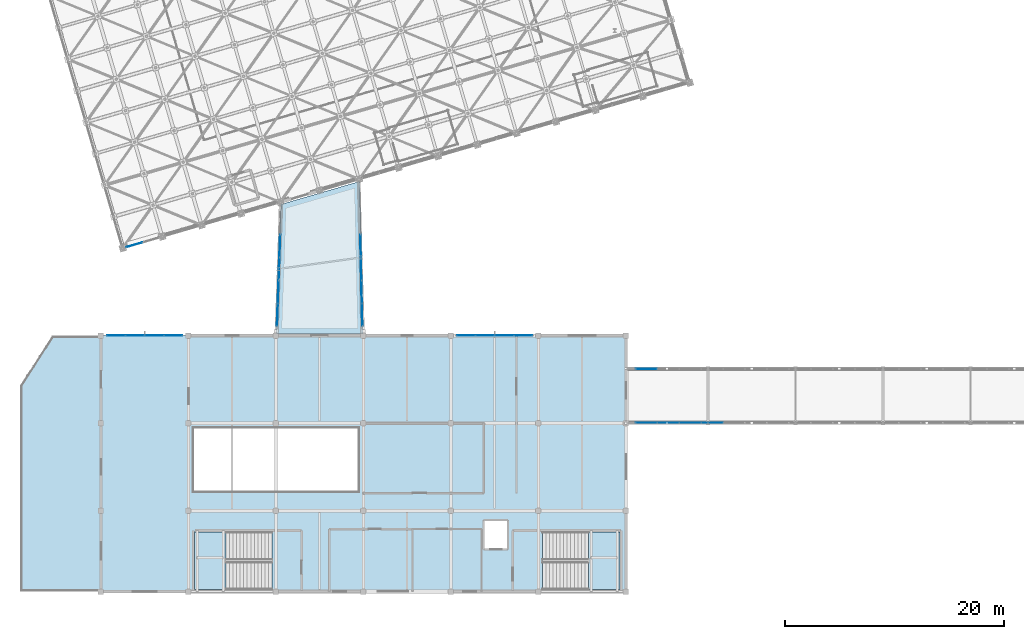
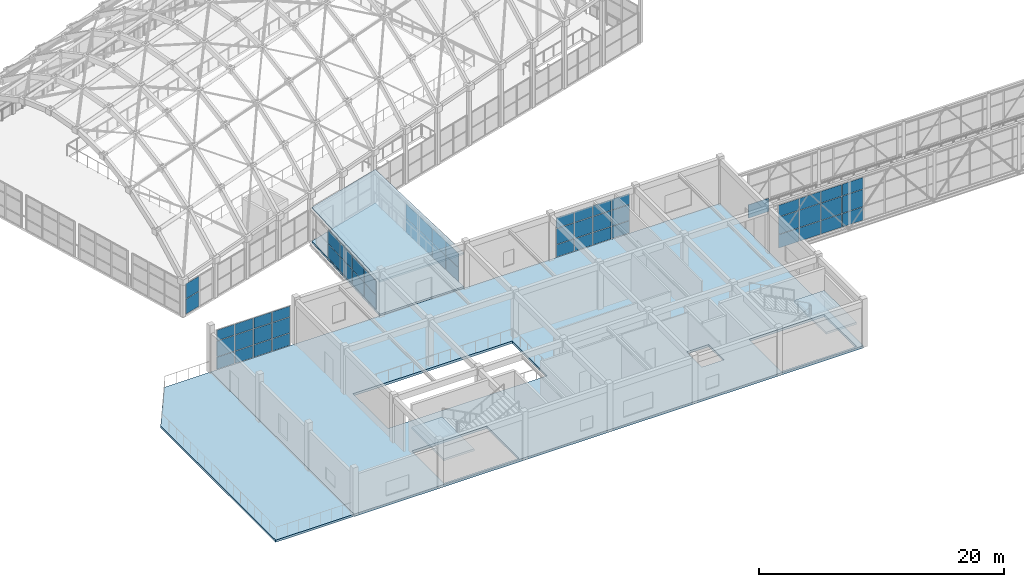
# One storey, part 198 of 248: 55 plates, 6 slabs, 9 elements without a shape of their own.
"""IFC4 building model written with IfcOpenShell, lengths in metres."""

from ifc_helpers import new_model, si_unit, direction, frame, origin, origin_2d, place, context, subcontext, project, spatial, polyline, rectangle, outline, extrude, material, layer, layer_set, type_object, element, aggregate, save


model = new_model("IFC4")

# Units and contexts
model_context = context("Model", 3, precision=1e-05, world=origin(), true_north=direction((0.0, 1.0)))
body_context = subcontext(model_context, "Body", "Model", "MODEL_VIEW")
ifc_project = project(units=[si_unit("LENGTHUNIT", "METRE"), si_unit("AREAUNIT", "SQUARE_METRE"), si_unit("VOLUMEUNIT", "CUBIC_METRE"), si_unit("PLANEANGLEUNIT", "RADIAN"), si_unit("MASSUNIT", "GRAM", prefix="KILO")], contexts=[model_context])

# Site, building, storey
site_placement = place(None, origin())
site = spatial("IfcSite", under=ifc_project, at=site_placement, CompositionType="ELEMENT")
building_placement = place(site_placement, origin())
building = spatial("IfcBuilding", under=site, at=building_placement, Name="Canggui Botanical Conservatory", CompositionType="ELEMENT")
storey_placement = place(building_placement, frame((0.0, 0.0, 5.39990234375)))
storey = spatial("IfcBuildingStorey", under=building, at=storey_placement, Name="L02", CompositionType="ELEMENT", Elevation=5.39990234375)

# Curtain wall, plates
ifc_material_1 = material(Name="Thermally Broken Aluminium", Category="aluminium")
ifc_layer_1 = layer(ifc_material_1, 0.135009765625, Name="Thermally Broken Aluminium", Category="aluminium")
ifc_layer_set_1 = layer_set([ifc_layer_1], Name="Thermally Broken Aluminium")
curtain_wall_type_1 = type_object("IfcCurtainWallType", Name="CW-STICK-A", PredefinedType="USERDEFINED", material=ifc_layer_set_1)
curtain_wall_1_placement = place(storey_placement, origin())
curtain_wall_1 = element("IfcCurtainWall", 1, at=curtain_wall_1_placement, inside=storey, type_object=curtain_wall_type_1, Name="Facade Curtain Wall CW-VIS-L02-10", ObjectType="STICK GLAZED WALL", PredefinedType="USERDEFINED")
ifc_material_2 = material(Name="Low-E Insulated Glass", Category="glass")
ifc_layer_2 = layer(ifc_material_2, 0.0380859375, Name="Low-E Insulated Glass", Category="glass")
ifc_layer_set_2 = layer_set([ifc_layer_2], Name="Low-E Insulated Glass")
plate_type_1 = type_object("IfcPlateType", Name="CWP-04", PredefinedType="CURTAIN_PANEL", material=ifc_layer_set_2)
plate_1_placement = place(storey_placement, frame((19.389892578125, 34.0, 0.05029296875), z_axis=(0.0, 0.0, 1.0), x_axis=(1.0, 0.0, 0.0)))
plate_1 = element("IfcPlate", 2, at=plate_1_placement, type_object=plate_type_1, Name="CW-04 panel 1.1", PredefinedType="CURTAIN_PANEL", context=body_context, shape_type="SweptSolid", body=[
    extrude(rectangle(XDim=1.659912109375, YDim=0.0380859375, at=origin_2d()), origin(), (0.0, 0.0, 1.0), 1.208251953125),
])
plate_2_placement = place(storey_placement, frame((19.389892578125, 34.0, 1.30810546875), z_axis=(0.0, 0.0, 1.0), x_axis=(1.0, 0.0, 0.0)))
plate_2 = element("IfcPlate", 3, at=plate_2_placement, type_object=plate_type_1, Name="CW-04 panel 1.2", PredefinedType="CURTAIN_PANEL", context=body_context, shape_type="SweptSolid", body=[
    extrude(rectangle(XDim=1.659912109375, YDim=0.0380859375, at=origin_2d()), origin(), (0.0, 0.0, 1.0), 1.553955078125),
])
plate_3_placement = place(storey_placement, frame((19.389892578125, 34.0, 2.912353515625), z_axis=(0.0, 0.0, 1.0), x_axis=(1.0, 0.0, 0.0)))
plate_3 = element("IfcPlate", 4, at=plate_3_placement, type_object=plate_type_1, Name="CW-04 panel 1.3", PredefinedType="CURTAIN_PANEL", context=body_context, shape_type="SweptSolid", body=[
    extrude(rectangle(XDim=1.659912109375, YDim=0.0380859375, at=origin_2d()), origin(), (0.0, 0.0, 1.0), 1.0478515625),
])
plate_4_placement = place(storey_placement, frame((21.125, 34.0, 0.05029296875), z_axis=(0.0, 0.0, 1.0), x_axis=(1.0, 0.0, 0.0)))
plate_4 = element("IfcPlate", 5, at=plate_4_placement, type_object=plate_type_1, Name="CW-04 panel 2.1", PredefinedType="CURTAIN_PANEL", context=body_context, shape_type="SweptSolid", body=[
    extrude(rectangle(XDim=1.68994140625, YDim=0.0380859375, at=origin_2d()), origin(), (0.0, 0.0, 1.0), 1.208251953125),
])
plate_5_placement = place(storey_placement, frame((21.125, 34.0, 1.30810546875), z_axis=(0.0, 0.0, 1.0), x_axis=(1.0, 0.0, 0.0)))
plate_5 = element("IfcPlate", 6, at=plate_5_placement, type_object=plate_type_1, Name="CW-04 panel 2.2", PredefinedType="CURTAIN_PANEL", context=body_context, shape_type="SweptSolid", body=[
    extrude(rectangle(XDim=1.68994140625, YDim=0.0380859375, at=origin_2d()), origin(), (0.0, 0.0, 1.0), 1.553955078125),
])
plate_6_placement = place(storey_placement, frame((21.125, 34.0, 2.912353515625), z_axis=(0.0, 0.0, 1.0), x_axis=(1.0, 0.0, 0.0)))
plate_6 = element("IfcPlate", 7, at=plate_6_placement, type_object=plate_type_1, Name="CW-04 panel 2.3", PredefinedType="CURTAIN_PANEL", context=body_context, shape_type="SweptSolid", body=[
    extrude(rectangle(XDim=1.68994140625, YDim=0.0380859375, at=origin_2d()), origin(), (0.0, 0.0, 1.0), 1.0478515625),
])
plate_7_placement = place(storey_placement, frame((22.875, 34.0, 0.05029296875), z_axis=(0.0, 0.0, 1.0), x_axis=(1.0, 0.0, 0.0)))
plate_7 = element("IfcPlate", 8, at=plate_7_placement, type_object=plate_type_1, Name="CW-04 panel 3.1", PredefinedType="CURTAIN_PANEL", context=body_context, shape_type="SweptSolid", body=[
    extrude(rectangle(XDim=1.68994140625, YDim=0.0380859375, at=origin_2d()), origin(), (0.0, 0.0, 1.0), 1.208251953125),
])
plate_8_placement = place(storey_placement, frame((22.875, 34.0, 1.30810546875), z_axis=(0.0, 0.0, 1.0), x_axis=(1.0, 0.0, 0.0)))
plate_8 = element("IfcPlate", 9, at=plate_8_placement, type_object=plate_type_1, Name="CW-04 panel 3.2", PredefinedType="CURTAIN_PANEL", context=body_context, shape_type="SweptSolid", body=[
    extrude(rectangle(XDim=1.68994140625, YDim=0.0380859375, at=origin_2d()), origin(), (0.0, 0.0, 1.0), 1.553955078125),
])
plate_9_placement = place(storey_placement, frame((22.875, 34.0, 2.912353515625), z_axis=(0.0, 0.0, 1.0), x_axis=(1.0, 0.0, 0.0)))
plate_9 = element("IfcPlate", 10, at=plate_9_placement, type_object=plate_type_1, Name="CW-04 panel 3.3", PredefinedType="CURTAIN_PANEL", context=body_context, shape_type="SweptSolid", body=[
    extrude(rectangle(XDim=1.68994140625, YDim=0.0380859375, at=origin_2d()), origin(), (0.0, 0.0, 1.0), 1.0478515625),
])
plate_10_placement = place(storey_placement, frame((24.610107421875, 34.0, 0.05029296875), z_axis=(0.0, 0.0, 1.0), x_axis=(1.0, 0.0, 0.0)))
plate_10 = element("IfcPlate", 11, at=plate_10_placement, type_object=plate_type_1, Name="CW-04 panel 4.1", PredefinedType="CURTAIN_PANEL", context=body_context, shape_type="SweptSolid", body=[
    extrude(rectangle(XDim=1.659912109375, YDim=0.0380859375, at=origin_2d()), origin(), (0.0, 0.0, 1.0), 1.208251953125),
])
plate_11_placement = place(storey_placement, frame((24.610107421875, 34.0, 1.30810546875), z_axis=(0.0, 0.0, 1.0), x_axis=(1.0, 0.0, 0.0)))
plate_11 = element("IfcPlate", 12, at=plate_11_placement, type_object=plate_type_1, Name="CW-04 panel 4.2", PredefinedType="CURTAIN_PANEL", context=body_context, shape_type="SweptSolid", body=[
    extrude(rectangle(XDim=1.659912109375, YDim=0.0380859375, at=origin_2d()), origin(), (0.0, 0.0, 1.0), 1.553955078125),
])
plate_12_placement = place(storey_placement, frame((24.610107421875, 34.0, 2.912353515625), z_axis=(0.0, 0.0, 1.0), x_axis=(1.0, 0.0, 0.0)))
plate_12 = element("IfcPlate", 13, at=plate_12_placement, type_object=plate_type_1, Name="CW-04 panel 4.3", PredefinedType="CURTAIN_PANEL", context=body_context, shape_type="SweptSolid", body=[
    extrude(rectangle(XDim=1.659912109375, YDim=0.0380859375, at=origin_2d()), origin(), (0.0, 0.0, 1.0), 1.0478515625),
])
aggregate(curtain_wall_1, [plate_1, plate_2, plate_3, plate_4, plate_5, plate_6, plate_7, plate_8, plate_9, plate_10, plate_11, plate_12])

curtain_wall_2_placement = place(storey_placement, origin())
curtain_wall_2 = element("IfcCurtainWall", 14, at=curtain_wall_2_placement, inside=storey, type_object=curtain_wall_type_1, Name="Facade Curtain Wall CW-VIS-L02-14", ObjectType="STICK GLAZED WALL", PredefinedType="USERDEFINED")
plate_13_placement = place(storey_placement, frame((51.389892578125, 34.0, 0.05029296875), z_axis=(0.0, 0.0, 1.0), x_axis=(1.0, 0.0, 0.0)))
plate_13 = element("IfcPlate", 15, at=plate_13_placement, type_object=plate_type_1, Name="CW-04 panel 1.1", PredefinedType="CURTAIN_PANEL", context=body_context, shape_type="SweptSolid", body=[
    extrude(rectangle(XDim=1.659912109375, YDim=0.0380859375, at=origin_2d()), origin(), (0.0, 0.0, 1.0), 1.208251953125),
])
plate_14_placement = place(storey_placement, frame((51.389892578125, 34.0, 1.30810546875), z_axis=(0.0, 0.0, 1.0), x_axis=(1.0, 0.0, 0.0)))
plate_14 = element("IfcPlate", 16, at=plate_14_placement, type_object=plate_type_1, Name="CW-04 panel 1.2", PredefinedType="CURTAIN_PANEL", context=body_context, shape_type="SweptSolid", body=[
    extrude(rectangle(XDim=1.659912109375, YDim=0.0380859375, at=origin_2d()), origin(), (0.0, 0.0, 1.0), 1.553955078125),
])
plate_15_placement = place(storey_placement, frame((51.389892578125, 34.0, 2.912353515625), z_axis=(0.0, 0.0, 1.0), x_axis=(1.0, 0.0, 0.0)))
plate_15 = element("IfcPlate", 17, at=plate_15_placement, type_object=plate_type_1, Name="CW-04 panel 1.3", PredefinedType="CURTAIN_PANEL", context=body_context, shape_type="SweptSolid", body=[
    extrude(rectangle(XDim=1.659912109375, YDim=0.0380859375, at=origin_2d()), origin(), (0.0, 0.0, 1.0), 1.0478515625),
])
plate_16_placement = place(storey_placement, frame((53.125, 34.0, 0.05029296875), z_axis=(0.0, 0.0, 1.0), x_axis=(1.0, 0.0, 0.0)))
plate_16 = element("IfcPlate", 18, at=plate_16_placement, type_object=plate_type_1, Name="CW-04 panel 2.1", PredefinedType="CURTAIN_PANEL", context=body_context, shape_type="SweptSolid", body=[
    extrude(rectangle(XDim=1.68994140625, YDim=0.0380859375, at=origin_2d()), origin(), (0.0, 0.0, 1.0), 1.208251953125),
])
plate_17_placement = place(storey_placement, frame((53.125, 34.0, 1.30810546875), z_axis=(0.0, 0.0, 1.0), x_axis=(1.0, 0.0, 0.0)))
plate_17 = element("IfcPlate", 19, at=plate_17_placement, type_object=plate_type_1, Name="CW-04 panel 2.2", PredefinedType="CURTAIN_PANEL", context=body_context, shape_type="SweptSolid", body=[
    extrude(rectangle(XDim=1.68994140625, YDim=0.0380859375, at=origin_2d()), origin(), (0.0, 0.0, 1.0), 1.553955078125),
])
plate_18_placement = place(storey_placement, frame((53.125, 34.0, 2.912353515625), z_axis=(0.0, 0.0, 1.0), x_axis=(1.0, 0.0, 0.0)))
plate_18 = element("IfcPlate", 20, at=plate_18_placement, type_object=plate_type_1, Name="CW-04 panel 2.3", PredefinedType="CURTAIN_PANEL", context=body_context, shape_type="SweptSolid", body=[
    extrude(rectangle(XDim=1.68994140625, YDim=0.0380859375, at=origin_2d()), origin(), (0.0, 0.0, 1.0), 1.0478515625),
])
plate_19_placement = place(storey_placement, frame((54.875, 34.0, 0.05029296875), z_axis=(0.0, 0.0, 1.0), x_axis=(1.0, 0.0, 0.0)))
plate_19 = element("IfcPlate", 21, at=plate_19_placement, type_object=plate_type_1, Name="CW-04 panel 3.1", PredefinedType="CURTAIN_PANEL", context=body_context, shape_type="SweptSolid", body=[
    extrude(rectangle(XDim=1.68994140625, YDim=0.0380859375, at=origin_2d()), origin(), (0.0, 0.0, 1.0), 1.208251953125),
])
plate_20_placement = place(storey_placement, frame((54.875, 34.0, 1.30810546875), z_axis=(0.0, 0.0, 1.0), x_axis=(1.0, 0.0, 0.0)))
plate_20 = element("IfcPlate", 22, at=plate_20_placement, type_object=plate_type_1, Name="CW-04 panel 3.2", PredefinedType="CURTAIN_PANEL", context=body_context, shape_type="SweptSolid", body=[
    extrude(rectangle(XDim=1.68994140625, YDim=0.0380859375, at=origin_2d()), origin(), (0.0, 0.0, 1.0), 1.553955078125),
])
plate_21_placement = place(storey_placement, frame((54.875, 34.0, 2.912353515625), z_axis=(0.0, 0.0, 1.0), x_axis=(1.0, 0.0, 0.0)))
plate_21 = element("IfcPlate", 23, at=plate_21_placement, type_object=plate_type_1, Name="CW-04 panel 3.3", PredefinedType="CURTAIN_PANEL", context=body_context, shape_type="SweptSolid", body=[
    extrude(rectangle(XDim=1.68994140625, YDim=0.0380859375, at=origin_2d()), origin(), (0.0, 0.0, 1.0), 1.0478515625),
])
plate_22_placement = place(storey_placement, frame((56.610107421875, 34.0, 0.05029296875), z_axis=(0.0, 0.0, 1.0), x_axis=(1.0, 0.0, 0.0)))
plate_22 = element("IfcPlate", 24, at=plate_22_placement, type_object=plate_type_1, Name="CW-04 panel 4.1", PredefinedType="CURTAIN_PANEL", context=body_context, shape_type="SweptSolid", body=[
    extrude(rectangle(XDim=1.659912109375, YDim=0.0380859375, at=origin_2d()), origin(), (0.0, 0.0, 1.0), 1.208251953125),
])
plate_23_placement = place(storey_placement, frame((56.610107421875, 34.0, 1.30810546875), z_axis=(0.0, 0.0, 1.0), x_axis=(1.0, 0.0, 0.0)))
plate_23 = element("IfcPlate", 25, at=plate_23_placement, type_object=plate_type_1, Name="CW-04 panel 4.2", PredefinedType="CURTAIN_PANEL", context=body_context, shape_type="SweptSolid", body=[
    extrude(rectangle(XDim=1.659912109375, YDim=0.0380859375, at=origin_2d()), origin(), (0.0, 0.0, 1.0), 1.553955078125),
])
plate_24_placement = place(storey_placement, frame((56.610107421875, 34.0, 2.912353515625), z_axis=(0.0, 0.0, 1.0), x_axis=(1.0, 0.0, 0.0)))
plate_24 = element("IfcPlate", 26, at=plate_24_placement, type_object=plate_type_1, Name="CW-04 panel 4.3", PredefinedType="CURTAIN_PANEL", context=body_context, shape_type="SweptSolid", body=[
    extrude(rectangle(XDim=1.659912109375, YDim=0.0380859375, at=origin_2d()), origin(), (0.0, 0.0, 1.0), 1.0478515625),
])
aggregate(curtain_wall_2, [plate_13, plate_14, plate_15, plate_16, plate_17, plate_18, plate_19, plate_20, plate_21, plate_22, plate_23, plate_24])

curtain_wall_3_placement = place(storey_placement, origin())
curtain_wall_3 = element("IfcCurtainWall", 27, at=curtain_wall_3_placement, inside=storey, type_object=curtain_wall_type_1, Name="Facade Curtain Wall CW-CONS-L02-V0-01", ObjectType="STICK GLAZED WALL", PredefinedType="USERDEFINED")
plate_25_placement = place(storey_placement, frame((21.034423828125, 42.3017578125, 0.050048828125), z_axis=(0.0, 0.0, 1.0), x_axis=(-0.960000000002, -0.279999999995, 0.0)))
plate_25 = element("IfcPlate", 28, at=plate_25_placement, type_object=plate_type_1, Name="CW-04 panel 2.1", PredefinedType="CURTAIN_PANEL", context=body_context, shape_type="SweptSolid", body=[
    extrude(rectangle(XDim=1.534912109375, YDim=0.0380859375, at=origin_2d()), origin(), (0.0, 0.0, 1.0), 1.47509765625),
])
plate_26_placement = place(storey_placement, frame((21.034423828125, 42.3017578125, 1.574951171875), z_axis=(0.0, 0.0, 1.0), x_axis=(-0.960000000002, -0.279999999995, 0.0)))
plate_26 = element("IfcPlate", 29, at=plate_26_placement, type_object=plate_type_1, Name="CW-04 panel 2.2", PredefinedType="CURTAIN_PANEL", context=body_context, shape_type="SweptSolid", body=[
    extrude(rectangle(XDim=1.534912109375, YDim=0.0380859375, at=origin_2d()), origin(), (0.0, 0.0, 1.0), 1.47509765625),
])
aggregate(curtain_wall_3, [plate_25, plate_26])

ifc_layer_3 = layer(ifc_material_1, 0.1201171875, Name="Thermally Broken Aluminium", Category="aluminium")
ifc_layer_set_3 = layer_set([ifc_layer_3], Name="Thermally Broken Aluminium")
curtain_wall_type_2 = type_object("IfcCurtainWallType", Name="CW-STICK-B", PredefinedType="USERDEFINED", material=ifc_layer_set_3)
curtain_wall_4_placement = place(storey_placement, origin())
curtain_wall_4 = element("IfcCurtainWall", 30, at=curtain_wall_4_placement, inside=storey, type_object=curtain_wall_type_2, Name="Facade Curtain Wall CW-SB-01-1", ObjectType="STICK GLAZED WALL", PredefinedType="USERDEFINED")
ifc_layer_4 = layer(ifc_material_2, 0.0419921875, Name="Low-E Insulated Glass", Category="glass")
ifc_layer_set_4 = layer_set([ifc_layer_4], Name="Low-E Insulated Glass")
plate_type_2 = type_object("IfcPlateType", Name="CWP-05", PredefinedType="CURTAIN_PANEL", material=ifc_layer_set_4)
plate_27_placement = place(storey_placement, frame((67.86865234375, 26.0400390625, 0.044921875), z_axis=(0.0, 0.0, 1.0), x_axis=(1.0, 0.0, 0.0)))
plate_27 = element("IfcPlate", 31, at=plate_27_placement, type_object=plate_type_2, Name="CW-05 panel 1.1", PredefinedType="CURTAIN_PANEL", context=body_context, shape_type="SweptSolid", body=[
    extrude(rectangle(XDim=1.92724609375, YDim=0.0419921875, at=origin_2d()), origin(), (0.0, 0.0, 1.0), 1.324462890625),
])
plate_28_placement = place(storey_placement, frame((67.86865234375, 26.0400390625, 1.41455078125), z_axis=(0.0, 0.0, 1.0), x_axis=(1.0, 0.0, 0.0)))
plate_28 = element("IfcPlate", 32, at=plate_28_placement, type_object=plate_type_2, Name="CW-05 panel 1.2", PredefinedType="CURTAIN_PANEL", context=body_context, shape_type="SweptSolid", body=[
    extrude(rectangle(XDim=1.92724609375, YDim=0.0419921875, at=origin_2d()), origin(), (0.0, 0.0, 1.0), 1.695068359375),
])
plate_29_placement = place(storey_placement, frame((67.86865234375, 26.0400390625, 3.154541015625), z_axis=(0.0, 0.0, 1.0), x_axis=(1.0, 0.0, 0.0)))
plate_29 = element("IfcPlate", 33, at=plate_29_placement, type_object=plate_type_2, Name="CW-05 panel 1.3", PredefinedType="CURTAIN_PANEL", context=body_context, shape_type="SweptSolid", body=[
    extrude(rectangle(XDim=1.92724609375, YDim=0.0419921875, at=origin_2d()), origin(), (0.0, 0.0, 1.0), 1.150390625),
])
plate_30_placement = place(storey_placement, frame((69.864501953125, 26.0400390625, 0.044921875), z_axis=(0.0, 0.0, 1.0), x_axis=(1.0, 0.0, 0.0)))
plate_30 = element("IfcPlate", 34, at=plate_30_placement, type_object=plate_type_2, Name="CW-05 panel 2.1", PredefinedType="CURTAIN_PANEL", context=body_context, shape_type="SweptSolid", body=[
    extrude(rectangle(XDim=1.95458984375, YDim=0.0419921875, at=origin_2d()), origin(), (0.0, 0.0, 1.0), 1.324462890625),
])
plate_31_placement = place(storey_placement, frame((69.864501953125, 26.0400390625, 1.41455078125), z_axis=(0.0, 0.0, 1.0), x_axis=(1.0, 0.0, 0.0)))
plate_31 = element("IfcPlate", 35, at=plate_31_placement, type_object=plate_type_2, Name="CW-05 panel 2.2", PredefinedType="CURTAIN_PANEL", context=body_context, shape_type="SweptSolid", body=[
    extrude(rectangle(XDim=1.95458984375, YDim=0.0419921875, at=origin_2d()), origin(), (0.0, 0.0, 1.0), 1.695068359375),
])
plate_32_placement = place(storey_placement, frame((69.864501953125, 26.0400390625, 3.154541015625), z_axis=(0.0, 0.0, 1.0), x_axis=(1.0, 0.0, 0.0)))
plate_32 = element("IfcPlate", 36, at=plate_32_placement, type_object=plate_type_2, Name="CW-05 panel 2.3", PredefinedType="CURTAIN_PANEL", context=body_context, shape_type="SweptSolid", body=[
    extrude(rectangle(XDim=1.95458984375, YDim=0.0419921875, at=origin_2d()), origin(), (0.0, 0.0, 1.0), 1.150390625),
])
plate_33_placement = place(storey_placement, frame((71.874267578125, 26.0400390625, 0.044921875), z_axis=(0.0, 0.0, 1.0), x_axis=(1.0, 0.0, 0.0)))
plate_33 = element("IfcPlate", 37, at=plate_33_placement, type_object=plate_type_2, Name="CW-05 panel 3.1", PredefinedType="CURTAIN_PANEL", context=body_context, shape_type="SweptSolid", body=[
    extrude(rectangle(XDim=1.95458984375, YDim=0.0419921875, at=origin_2d()), origin(), (0.0, 0.0, 1.0), 1.324462890625),
])
plate_34_placement = place(storey_placement, frame((71.874267578125, 26.0400390625, 1.41455078125), z_axis=(0.0, 0.0, 1.0), x_axis=(1.0, 0.0, 0.0)))
plate_34 = element("IfcPlate", 38, at=plate_34_placement, type_object=plate_type_2, Name="CW-05 panel 3.2", PredefinedType="CURTAIN_PANEL", context=body_context, shape_type="SweptSolid", body=[
    extrude(rectangle(XDim=1.95458984375, YDim=0.0419921875, at=origin_2d()), origin(), (0.0, 0.0, 1.0), 1.695068359375),
])
plate_35_placement = place(storey_placement, frame((71.874267578125, 26.0400390625, 3.154541015625), z_axis=(0.0, 0.0, 1.0), x_axis=(1.0, 0.0, 0.0)))
plate_35 = element("IfcPlate", 39, at=plate_35_placement, type_object=plate_type_2, Name="CW-05 panel 3.3", PredefinedType="CURTAIN_PANEL", context=body_context, shape_type="SweptSolid", body=[
    extrude(rectangle(XDim=1.95458984375, YDim=0.0419921875, at=origin_2d()), origin(), (0.0, 0.0, 1.0), 1.150390625),
])
plate_36_placement = place(storey_placement, frame((73.8837890625, 26.0400390625, 0.044921875), z_axis=(0.0, 0.0, 1.0), x_axis=(1.0, 0.0, 0.0)))
plate_36 = element("IfcPlate", 40, at=plate_36_placement, type_object=plate_type_2, Name="CW-05 panel 4.1", PredefinedType="CURTAIN_PANEL", context=body_context, shape_type="SweptSolid", body=[
    extrude(rectangle(XDim=1.95458984375, YDim=0.0419921875, at=origin_2d()), origin(), (0.0, 0.0, 1.0), 1.324462890625),
])
plate_37_placement = place(storey_placement, frame((73.8837890625, 26.0400390625, 1.41455078125), z_axis=(0.0, 0.0, 1.0), x_axis=(1.0, 0.0, 0.0)))
plate_37 = element("IfcPlate", 41, at=plate_37_placement, type_object=plate_type_2, Name="CW-05 panel 4.2", PredefinedType="CURTAIN_PANEL", context=body_context, shape_type="SweptSolid", body=[
    extrude(rectangle(XDim=1.95458984375, YDim=0.0419921875, at=origin_2d()), origin(), (0.0, 0.0, 1.0), 1.695068359375),
])
plate_38_placement = place(storey_placement, frame((73.8837890625, 26.0400390625, 3.154541015625), z_axis=(0.0, 0.0, 1.0), x_axis=(1.0, 0.0, 0.0)))
plate_38 = element("IfcPlate", 42, at=plate_38_placement, type_object=plate_type_2, Name="CW-05 panel 4.3", PredefinedType="CURTAIN_PANEL", context=body_context, shape_type="SweptSolid", body=[
    extrude(rectangle(XDim=1.95458984375, YDim=0.0419921875, at=origin_2d()), origin(), (0.0, 0.0, 1.0), 1.150390625),
])
aggregate(curtain_wall_4, [plate_27, plate_28, plate_29, plate_30, plate_31, plate_32, plate_33, plate_34, plate_35, plate_36, plate_37, plate_38])

# Curtain wall, plate
curtain_wall_5_placement = place(storey_placement, origin())
curtain_wall_5 = element("IfcCurtainWall", 43, at=curtain_wall_5_placement, inside=storey, type_object=curtain_wall_type_2, Name="Facade Curtain Wall CW-SB-01-2", ObjectType="STICK GLAZED WALL", PredefinedType="USERDEFINED")
plate_39_placement = place(storey_placement, frame((67.86865234375, 30.9599609375, 0.044921875), z_axis=(0.0, 0.0, 1.0), x_axis=(1.0, 0.0, 0.0)))
plate_39 = element("IfcPlate", 44, at=plate_39_placement, type_object=plate_type_2, Name="CW-05 panel 1.1", PredefinedType="CURTAIN_PANEL", context=body_context, shape_type="SweptSolid", body=[
    extrude(rectangle(XDim=1.92724609375, YDim=0.0419921875, at=origin_2d()), origin(), (0.0, 0.0, 1.0), 1.324462890625),
])
aggregate(curtain_wall_5, [plate_39])

# Curtain wall, plates
curtain_wall_6_placement = place(storey_placement, origin())
curtain_wall_6 = element("IfcCurtainWall", 45, at=curtain_wall_6_placement, inside=storey, type_object=curtain_wall_type_2, Name="Facade Curtain Wall CW-SB-02-1", ObjectType="STICK GLAZED WALL", PredefinedType="USERDEFINED")
plate_40_placement = place(storey_placement, frame((34.140380859375, 35.912841796875, 0.044921875), z_axis=(0.0, 0.0, 1.0), x_axis=(0.035205780606, 0.999380084358, 0.0)))
plate_40 = element("IfcPlate", 46, at=plate_40_placement, type_object=plate_type_2, Name="CW-05 panel 1.1", PredefinedType="CURTAIN_PANEL", context=body_context, shape_type="SweptSolid", body=[
    extrude(rectangle(XDim=2.0205078125, YDim=0.0419921875, at=origin_2d()), origin(), (0.0, 0.0, 1.0), 1.382568359375),
])
plate_41_placement = place(storey_placement, frame((34.140380859375, 35.912841796875, 1.47265625), z_axis=(0.0, 0.0, 1.0), x_axis=(0.035205780606, 0.999380084358, 0.0)))
plate_41 = element("IfcPlate", 47, at=plate_41_placement, type_object=plate_type_2, Name="CW-05 panel 1.2", PredefinedType="CURTAIN_PANEL", context=body_context, shape_type="SweptSolid", body=[
    extrude(rectangle(XDim=2.0205078125, YDim=0.0419921875, at=origin_2d()), origin(), (0.0, 0.0, 1.0), 1.382568359375),
])
plate_42_placement = place(storey_placement, frame((34.2138671875, 38.000732421875, 0.044921875), z_axis=(0.0, 0.0, 1.0), x_axis=(0.035205780606, 0.999380084358, 0.0)))
plate_42 = element("IfcPlate", 48, at=plate_42_placement, type_object=plate_type_2, Name="CW-05 panel 2.1", PredefinedType="CURTAIN_PANEL", context=body_context, shape_type="SweptSolid", body=[
    extrude(rectangle(XDim=2.048095703125, YDim=0.0419921875, at=origin_2d()), origin(), (0.0, 0.0, 1.0), 1.382568359375),
])
plate_43_placement = place(storey_placement, frame((34.2138671875, 38.000732421875, 1.47265625), z_axis=(0.0, 0.0, 1.0), x_axis=(0.035205780606, 0.999380084358, 0.0)))
plate_43 = element("IfcPlate", 49, at=plate_43_placement, type_object=plate_type_2, Name="CW-05 panel 2.2", PredefinedType="CURTAIN_PANEL", context=body_context, shape_type="SweptSolid", body=[
    extrude(rectangle(XDim=2.048095703125, YDim=0.0419921875, at=origin_2d()), origin(), (0.0, 0.0, 1.0), 1.382568359375),
])
plate_44_placement = place(storey_placement, frame((34.2880859375, 40.1025390625, 0.044921875), z_axis=(0.0, 0.0, 1.0), x_axis=(0.035205780606, 0.999380084358, 0.0)))
plate_44 = element("IfcPlate", 50, at=plate_44_placement, type_object=plate_type_2, Name="CW-05 panel 3.1", PredefinedType="CURTAIN_PANEL", context=body_context, shape_type="SweptSolid", body=[
    extrude(rectangle(XDim=2.048095703125, YDim=0.0419921875, at=origin_2d()), origin(), (0.0, 0.0, 1.0), 1.382568359375),
])
plate_45_placement = place(storey_placement, frame((34.2880859375, 40.1025390625, 1.47265625), z_axis=(0.0, 0.0, 1.0), x_axis=(0.035205780606, 0.999380084358, 0.0)))
plate_45 = element("IfcPlate", 51, at=plate_45_placement, type_object=plate_type_2, Name="CW-05 panel 3.2", PredefinedType="CURTAIN_PANEL", context=body_context, shape_type="SweptSolid", body=[
    extrude(rectangle(XDim=2.048095703125, YDim=0.0419921875, at=origin_2d()), origin(), (0.0, 0.0, 1.0), 1.382568359375),
])
plate_46_placement = place(storey_placement, frame((34.362060546875, 42.204345703125, 0.044921875), z_axis=(0.0, 0.0, 1.0), x_axis=(0.035205780606, 0.999380084358, 0.0)))
plate_46 = element("IfcPlate", 52, at=plate_46_placement, type_object=plate_type_2, Name="CW-05 panel 4.1", PredefinedType="CURTAIN_PANEL", context=body_context, shape_type="SweptSolid", body=[
    extrude(rectangle(XDim=2.048095703125, YDim=0.0419921875, at=origin_2d()), origin(), (0.0, 0.0, 1.0), 1.382568359375),
])
plate_47_placement = place(storey_placement, frame((34.362060546875, 42.204345703125, 1.47265625), z_axis=(0.0, 0.0, 1.0), x_axis=(0.035205780606, 0.999380084358, 0.0)))
plate_47 = element("IfcPlate", 53, at=plate_47_placement, type_object=plate_type_2, Name="CW-05 panel 4.2", PredefinedType="CURTAIN_PANEL", context=body_context, shape_type="SweptSolid", body=[
    extrude(rectangle(XDim=2.048095703125, YDim=0.0419921875, at=origin_2d()), origin(), (0.0, 0.0, 1.0), 1.382568359375),
])
aggregate(curtain_wall_6, [plate_40, plate_41, plate_42, plate_43, plate_44, plate_45, plate_46, plate_47])

curtain_wall_7_placement = place(storey_placement, origin())
curtain_wall_7 = element("IfcCurtainWall", 54, at=curtain_wall_7_placement, inside=storey, type_object=curtain_wall_type_2, Name="Facade Curtain Wall CW-SB-02-2", ObjectType="STICK GLAZED WALL", PredefinedType="USERDEFINED")
plate_48_placement = place(storey_placement, frame((41.882568359375, 35.913330078125, 0.044921875), z_axis=(0.0, 0.0, 1.0), x_axis=(-0.021853396804, 0.999761186008, 0.0)))
plate_48 = element("IfcPlate", 55, at=plate_48_placement, type_object=plate_type_2, Name="CW-05 panel 1.1", PredefinedType="CURTAIN_PANEL", context=body_context, shape_type="SweptSolid", body=[
    extrude(rectangle(XDim=2.019287109375, YDim=0.0419921875, at=origin_2d()), origin(), (0.0, 0.0, 1.0), 1.382568359375),
])
plate_49_placement = place(storey_placement, frame((41.882568359375, 35.913330078125, 1.47265625), z_axis=(0.0, 0.0, 1.0), x_axis=(-0.021853396804, 0.999761186008, 0.0)))
plate_49 = element("IfcPlate", 56, at=plate_49_placement, type_object=plate_type_2, Name="CW-05 panel 1.2", PredefinedType="CURTAIN_PANEL", context=body_context, shape_type="SweptSolid", body=[
    extrude(rectangle(XDim=2.019287109375, YDim=0.0419921875, at=origin_2d()), origin(), (0.0, 0.0, 1.0), 1.382568359375),
])
plate_50_placement = place(storey_placement, frame((41.8369140625, 38.0009765625, 0.044921875), z_axis=(0.0, 0.0, 1.0), x_axis=(-0.021853396804, 0.999761186008, 0.0)))
plate_50 = element("IfcPlate", 57, at=plate_50_placement, type_object=plate_type_2, Name="CW-05 panel 2.1", PredefinedType="CURTAIN_PANEL", context=body_context, shape_type="SweptSolid", body=[
    extrude(rectangle(XDim=2.046875, YDim=0.0419921875, at=origin_2d()), origin(), (0.0, 0.0, 1.0), 1.382568359375),
])
plate_51_placement = place(storey_placement, frame((41.8369140625, 38.0009765625, 1.47265625), z_axis=(0.0, 0.0, 1.0), x_axis=(-0.021853396804, 0.999761186008, 0.0)))
plate_51 = element("IfcPlate", 58, at=plate_51_placement, type_object=plate_type_2, Name="CW-05 panel 2.2", PredefinedType="CURTAIN_PANEL", context=body_context, shape_type="SweptSolid", body=[
    extrude(rectangle(XDim=2.046875, YDim=0.0419921875, at=origin_2d()), origin(), (0.0, 0.0, 1.0), 1.382568359375),
])
plate_52_placement = place(storey_placement, frame((41.791015625, 40.1025390625, 0.044921875), z_axis=(0.0, 0.0, 1.0), x_axis=(-0.021853396804, 0.999761186008, 0.0)))
plate_52 = element("IfcPlate", 59, at=plate_52_placement, type_object=plate_type_2, Name="CW-05 panel 3.1", PredefinedType="CURTAIN_PANEL", context=body_context, shape_type="SweptSolid", body=[
    extrude(rectangle(XDim=2.046875, YDim=0.0419921875, at=origin_2d()), origin(), (0.0, 0.0, 1.0), 1.382568359375),
])
plate_53_placement = place(storey_placement, frame((41.791015625, 40.1025390625, 1.47265625), z_axis=(0.0, 0.0, 1.0), x_axis=(-0.021853396804, 0.999761186008, 0.0)))
plate_53 = element("IfcPlate", 60, at=plate_53_placement, type_object=plate_type_2, Name="CW-05 panel 3.2", PredefinedType="CURTAIN_PANEL", context=body_context, shape_type="SweptSolid", body=[
    extrude(rectangle(XDim=2.046875, YDim=0.0419921875, at=origin_2d()), origin(), (0.0, 0.0, 1.0), 1.382568359375),
])
plate_54_placement = place(storey_placement, frame((41.7451171875, 42.203857421875, 0.044921875), z_axis=(0.0, 0.0, 1.0), x_axis=(-0.021853396804, 0.999761186008, 0.0)))
plate_54 = element("IfcPlate", 61, at=plate_54_placement, type_object=plate_type_2, Name="CW-05 panel 4.1", PredefinedType="CURTAIN_PANEL", context=body_context, shape_type="SweptSolid", body=[
    extrude(rectangle(XDim=2.046875, YDim=0.0419921875, at=origin_2d()), origin(), (0.0, 0.0, 1.0), 1.382568359375),
])
plate_55_placement = place(storey_placement, frame((41.7451171875, 42.203857421875, 1.47265625), z_axis=(0.0, 0.0, 1.0), x_axis=(-0.021853396804, 0.999761186008, 0.0)))
plate_55 = element("IfcPlate", 62, at=plate_55_placement, type_object=plate_type_2, Name="CW-05 panel 4.2", PredefinedType="CURTAIN_PANEL", context=body_context, shape_type="SweptSolid", body=[
    extrude(rectangle(XDim=2.046875, YDim=0.0419921875, at=origin_2d()), origin(), (0.0, 0.0, 1.0), 1.382568359375),
])
aggregate(curtain_wall_7, [plate_48, plate_49, plate_50, plate_51, plate_52, plate_53, plate_54, plate_55])

# Slabs
ifc_material_3 = material(Name="Concrete C35", Category="concrete")
ifc_layer_5 = layer(ifc_material_3, 0.199951171875, Name="Concrete C35", Category="concrete")
ifc_layer_set_5 = layer_set([ifc_layer_5], Name="Concrete C35")
slab_type_1 = type_object("IfcSlabType", Name="SLAB-F200", PredefinedType="FLOOR", material=ifc_layer_set_5)
slab_1_placement = place(storey_placement, frame((0.0, 0.0, -0.199951171875)))
element("IfcSlab", 63, at=slab_1_placement, inside=storey, type_object=slab_type_1, Name="West Park Covered Skybridge SB-02 Deck Slab", PredefinedType="FLOOR", context=body_context, shape_type="SweptSolid", body=[
    extrude(outline(polyline([(34.0400390625, 34.199951171875), (41.9599609375, 34.199951171875), (41.656005859375, 48.10791015625), (34.4560546875, 46.008056640625), (34.0400390625, 34.199951171875)])), origin(), (0.0, 0.0, 1.0), 0.199951171875),
])
ifc_layer_6 = layer(ifc_material_3, 0.219970703125, Name="Concrete C35", Category="concrete")
ifc_layer_set_6 = layer_set([ifc_layer_6], Name="Concrete C35")
slab_type_2 = type_object("IfcSlabType", Name="SLAB-F220", PredefinedType="FLOOR", material=ifc_layer_set_6)
slab_2_placement = place(storey_placement, frame((0.0, 0.0, -0.219970703125)))
element("IfcSlab", 64, at=slab_2_placement, inside=storey, type_object=slab_type_2, Name="Visitor Centre L02 Outdoor Terrace Slab", PredefinedType="FLOOR", context=body_context, shape_type="SweptSolid", body=[
    extrude(outline(polyline([(10.60009765625, 10.60009765625), (18.0, 10.60009765625), (18.0, 34.0), (13.60009765625, 34.0), (10.60009765625, 29.39990234375), (10.60009765625, 10.60009765625)])), origin(), (0.0, 0.0, 1.0), 0.219970703125),
])
ifc_layer_7 = layer(ifc_material_3, 0.239990234375, Name="Concrete C35", Category="concrete")
ifc_layer_set_7 = layer_set([ifc_layer_7], Name="Concrete C35")
slab_type_3 = type_object("IfcSlabType", Name="SLAB-F240", PredefinedType="FLOOR", material=ifc_layer_set_7)
slab_3_placement = place(storey_placement, frame((0.0, 0.0, -0.239990234375)))
element("IfcSlab", 65, at=slab_3_placement, inside=storey, type_object=slab_type_3, Name="Visitor Centre L02 Floor Slab", PredefinedType="FLOOR", context=body_context, shape_type="SweptSolid", body=[
    extrude(outline(polyline([(18.0, 10.60009765625), (66.0, 10.60009765625), (66.0, 34.0), (18.0, 34.0), (18.0, 10.60009765625)]), holes=[polyline([(58.3505859375, 10.780029296875), (65.449951171875, 10.780029296875), (65.449951171875, 16.0400390625), (58.3505859375, 16.0400390625), (58.3505859375, 10.780029296875)]), polyline([(33.6494140625, 16.0400390625), (26.550048828125, 16.0400390625), (26.550048828125, 10.780029296875), (33.6494140625, 10.780029296875), (33.6494140625, 16.0400390625)]), polyline([(53.050048828125, 14.550048828125), (55.14990234375, 14.550048828125), (55.14990234375, 17.050048828125), (53.050048828125, 17.050048828125), (53.050048828125, 14.550048828125)]), polyline([(26.5, 19.800048828125), (41.5, 19.800048828125), (41.5, 25.5), (26.5, 25.5), (26.5, 19.800048828125)])]), origin(), (0.0, 0.0, 1.0), 0.239990234375),
])

# Stair, slab
stair_type = type_object("IfcStairType", Name="STR-TYPE-8", PredefinedType="HALF_TURN_STAIR", material=ifc_material_3)
stair_1_placement = place(storey_placement, origin())
stair_1 = element("IfcStair", 66, at=stair_1_placement, inside=storey, type_object=stair_type, Name="L02 Visitor Centre East Stair ST-V1", PredefinedType="HALF_TURN_STAIR")
ifc_layer_8 = layer(ifc_material_3, 0.199951171875, Name="Concrete C35", Category="concrete")
ifc_layer_set_8 = layer_set([ifc_layer_8], Name="Concrete C35")
slab_type_4 = type_object("IfcSlabType", Name="SLAB-LND-200", PredefinedType="LANDING", material=ifc_layer_set_8)
slab_4_placement = place(storey_placement, frame((0.0, 0.0, 2.2001953125)))
slab_4 = element("IfcSlab", 67, at=slab_4_placement, type_object=slab_type_4, Name="ST-V1 landing 1", PredefinedType="LANDING", context=body_context, shape_type="SweptSolid", body=[
    extrude(outline(polyline([(62.574462890625, 10.780029296875), (65.449951171875, 10.780029296875), (65.449951171875, 16.0400390625), (62.574462890625, 16.0400390625), (62.574462890625, 10.780029296875)])), origin(), (0.0, 0.0, 1.0), 0.199951171875),
])
aggregate(stair_1, [slab_4])

stair_2_placement = place(storey_placement, origin())
stair_2 = element("IfcStair", 68, at=stair_2_placement, inside=storey, type_object=stair_type, Name="L02 Visitor Centre West Stair ST-V2", PredefinedType="HALF_TURN_STAIR")
slab_5_placement = place(storey_placement, frame((0.0, 0.0, 2.2001953125)))
slab_5 = element("IfcSlab", 69, at=slab_5_placement, type_object=slab_type_4, Name="ST-V2 landing 1", PredefinedType="LANDING", context=body_context, shape_type="SweptSolid", body=[
    extrude(outline(polyline([(29.425537109375, 16.0400390625), (26.550048828125, 16.0400390625), (26.550048828125, 10.780029296875), (29.425537109375, 10.780029296875), (29.425537109375, 16.0400390625)])), origin(), (0.0, 0.0, 1.0), 0.199951171875),
])
aggregate(stair_2, [slab_5])

# Slab
ifc_layer_9 = layer(ifc_material_3, 0.179931640625, Name="Concrete C35", Category="concrete")
ifc_layer_set_9 = layer_set([ifc_layer_9], Name="Concrete C35")
slab_type_5 = type_object("IfcSlabType", Name="SLAB-R180", PredefinedType="ROOF", material=ifc_layer_set_9)
slab_6_placement = place(storey_placement, frame((0.0, 0.0, 3.170166015625)))
element("IfcSlab", 70, at=slab_6_placement, inside=storey, type_object=slab_type_5, Name="West Park Covered Skybridge SB-02 Roof Slab", PredefinedType="ROOF", context=body_context, shape_type="SweptSolid", body=[
    extrude(outline(polyline([(34.0400390625, 34.199951171875), (41.9599609375, 34.199951171875), (41.656005859375, 48.10791015625), (34.4560546875, 46.008056640625), (34.0400390625, 34.199951171875)])), origin(), (0.0, 0.0, 1.0), 0.179931640625),
])

save(model, "model.ifc")
